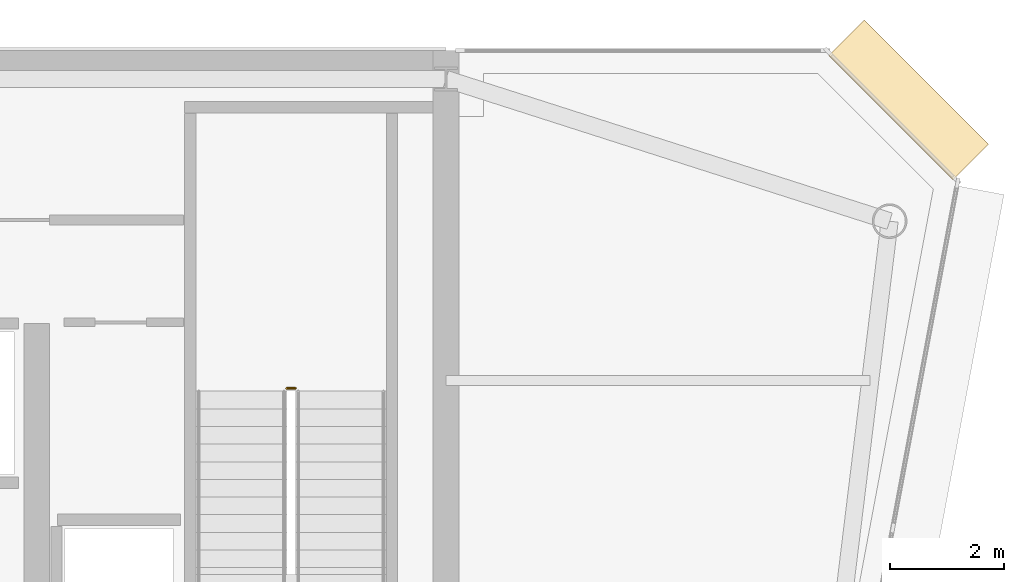
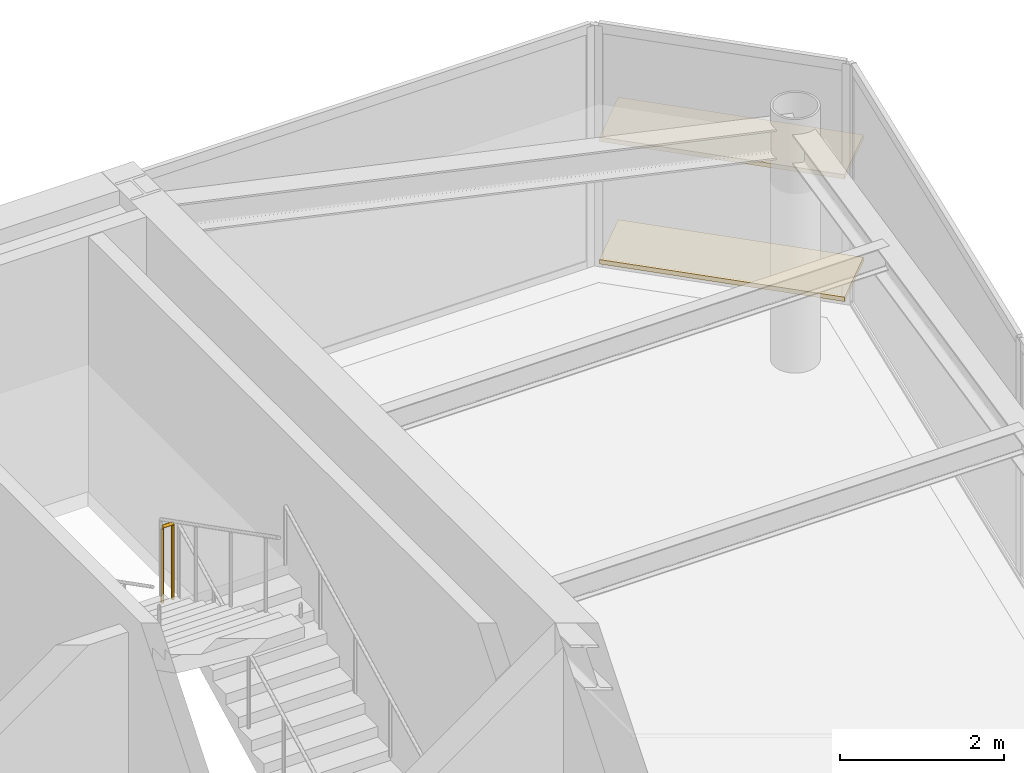
# One storey, part 20 of 20: 2 coverings, 1 railing.
"""IFC4 building model written with IfcOpenShell, lengths in metres."""

from ifc_helpers import new_model, si_unit, direction, frame, origin, origin_2d, place, context, subcontext, project, spatial, rectangle, circle, extrude, source, transform, mapped, material, layer, layer_set, type_object, element, save


model = new_model("IFC4")

# Units and contexts
model_context = context("Model", 3, precision=1e-05, world=origin(), true_north=direction((0.0, 1.0)))
body_context = subcontext(model_context, "Body", "Model", "MODEL_VIEW")
ifc_project = project(units=[si_unit("LENGTHUNIT", "METRE"), si_unit("AREAUNIT", "SQUARE_METRE"), si_unit("VOLUMEUNIT", "CUBIC_METRE"), si_unit("PLANEANGLEUNIT", "RADIAN"), si_unit("MASSUNIT", "GRAM", prefix="KILO")], contexts=[model_context])

# Site, building, storey
site_placement = place(None, origin())
site = spatial("IfcSite", under=ifc_project, at=site_placement, CompositionType="ELEMENT")
building_placement = place(site_placement, origin())
building = spatial("IfcBuilding", under=site, at=building_placement, Name="Vaeldorn Concourse Tower", CompositionType="ELEMENT")
storey_placement = place(building_placement, frame((0.0, 0.0, 280.199951171875)))
storey = spatial("IfcBuildingStorey", under=building, at=storey_placement, Name="L72", CompositionType="ELEMENT", Elevation=280.199951171875)

# Railing
ifc_material = material(Name="Anodised Bronze Aluminium", Category="aluminium")
railing_type = type_object("IfcRailingType", Name="RL-STAIR-GUARD", PredefinedType="GUARDRAIL", material=ifc_material)
railing_placement = place(storey_placement, frame((51.35009765625, 45.06005859375, 1.900146484375)))
element("IfcRailing", 1, at=railing_placement, inside=storey, type_object=railing_type, Name="L72 ST-2 stair guard 2", PredefinedType="GUARDRAIL", context=body_context, shape_type="SweptSolid", body=[
    extrude(circle(Radius=0.02392578125, at=origin_2d()), frame((0.0, 0.0, 1.1259765625), z_axis=(-1.0, 0.0, 0.0), x_axis=(0.0, -1.0, 0.0)), (0.0, 0.0, 1.0), 0.150146484375),
    extrude(circle(Radius=0.02099609375, at=origin_2d()), origin(), (0.0, 0.0, 1.0), 1.101806640625),
    extrude(circle(Radius=0.02099609375, at=origin_2d()), frame((-0.150146484375, 0.0, 0.0)), (0.0, 0.0, 1.0), 1.101806640625),
])

# Coverings
ifc_layer = layer(ifc_material, 0.06494140625)
ifc_layer_set = layer_set([ifc_layer], Name="Anodised Bronze Aluminium")
covering_type = type_object("IfcCoveringType", Name="SD-BRONZE-SUNSHADE", PredefinedType="USERDEFINED", material=ifc_layer_set)
shared_shape = source(origin(), body_context, "Body", "SweptSolid", [
    extrude(rectangle(XDim=3.0927734375, YDim=0.8798828125, at=origin_2d()), origin(), (0.0, 0.0, 1.0), 0.06494140625),
])
for number, where, z_axis, x_axis, name in (
    (2, (62.1328125, 50.1328125, 0.047607421875), (0.0, 0.0, 1.0), (-0.707106781187, 0.707106781187, 0.0), "Horizontal Bronze Sunshade L72-E08.1.1"),
    (3, (62.1328125, 50.1328125, 1.86767578125), (0.0, 0.0, 1.0), (-0.707106781187, 0.707106781187, 0.0), "Horizontal Bronze Sunshade L72-E08.1.2"),
):
    element("IfcCovering", number, at=place(storey_placement, frame(where, z_axis=z_axis, x_axis=x_axis)), inside=storey, type_object=covering_type, Name=name, ObjectType="SUNSHADE", PredefinedType="USERDEFINED", context=body_context, shape_type="MappedRepresentation", body=[
        mapped(shared_shape, transform((0.0, 0.0, 0.0), scale=1.0)),
    ])

save(model, "model.ifc")
